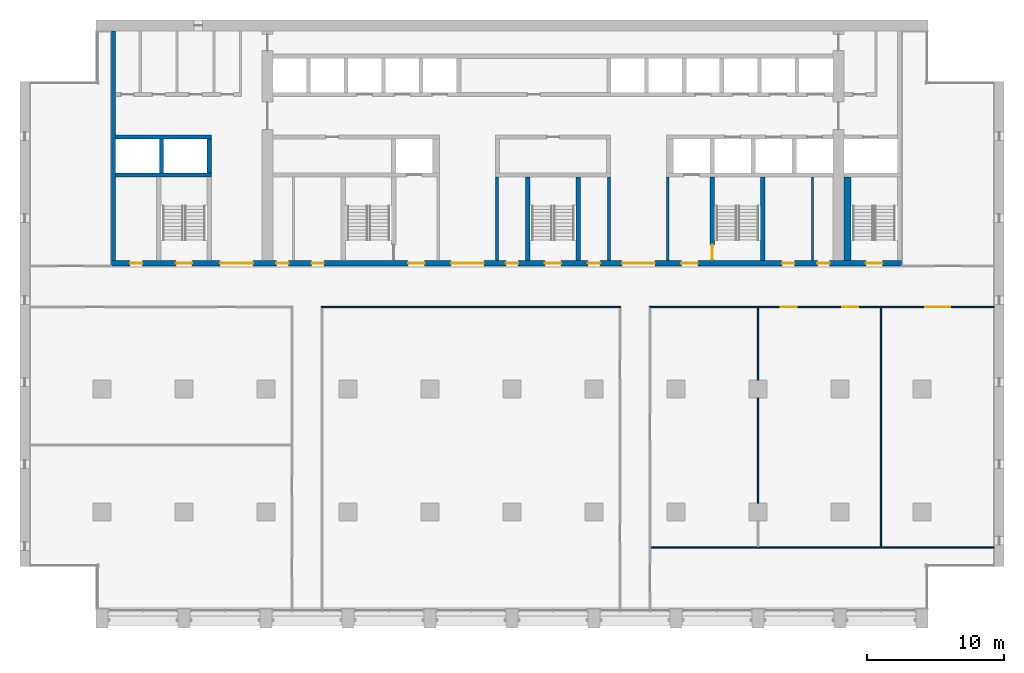
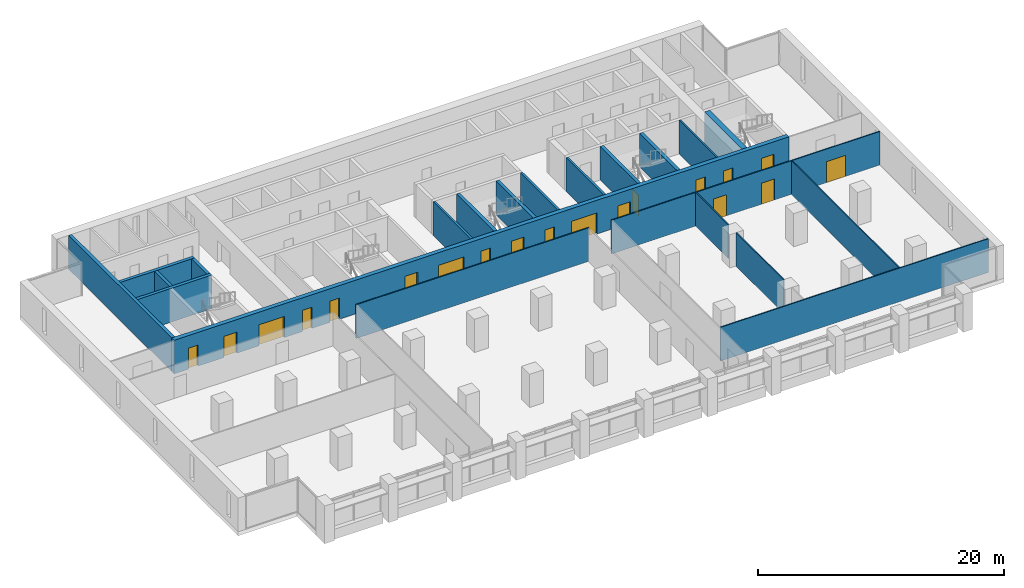
# One storey, part 9 of 15: 21 walls, 19 doors, 19 openings.
"""IFC4 building model written with IfcOpenShell, lengths in metres."""

from ifc_helpers import new_model, si_unit, direction, frame, frame_2d, origin, place, context, subcontext, project, spatial, rectangle, extrude, material, layer, layer_set, type_object, element, fill, save


model = new_model("IFC4")

# Units and contexts
model_context = context("Model", 3, precision=1e-05, world=origin(), true_north=direction((0.0, 1.0)))
body_context = subcontext(model_context, "Body", "Model", "MODEL_VIEW")
ifc_project = project(units=[si_unit("LENGTHUNIT", "METRE"), si_unit("AREAUNIT", "SQUARE_METRE"), si_unit("VOLUMEUNIT", "CUBIC_METRE"), si_unit("PLANEANGLEUNIT", "RADIAN"), si_unit("MASSUNIT", "GRAM", prefix="KILO")], contexts=[model_context])

# Site, building, storey
site_placement = place(None, origin())
site = spatial("IfcSite", under=ifc_project, at=site_placement, CompositionType="ELEMENT")
building_placement = place(site_placement, origin())
building = spatial("IfcBuilding", under=site, at=building_placement, Name="Calvaro Tower", CompositionType="ELEMENT")
storey_placement = place(building_placement, frame((0.0, 0.0, 128.75)))
storey = spatial("IfcBuildingStorey", under=building, at=storey_placement, Name="L32", CompositionType="ELEMENT", Elevation=128.75)

# Walls
ifc_material_1 = material(Name="Blockwork partition", Category="masonry")
ifc_layer_1 = layer(ifc_material_1, 0.14990234375)
ifc_layer_set_1 = layer_set([ifc_layer_1], Name="Blockwork partition")
wall_type_1 = type_object("IfcWallType", Name="Core partition 150 EI 60", PredefinedType="PARTITIONING", material=ifc_layer_set_1)
wall_1_placement = place(storey_placement, frame((58.0, 28.39990234375, 0.0), z_axis=(0.0, 0.0, 1.0), x_axis=(0.0, 1.0, 0.0)))
element("IfcWall", 1, at=wall_1_placement, inside=storey, type_object=wall_type_1, Name="Core partition", PredefinedType="PARTITIONING", context=body_context, shape_type="SweptSolid", body=[
    extrude(rectangle(XDim=6.10009765625, YDim=0.14990234375, at=frame_2d((3.050048828125, 0.0))), origin(), (0.0, 0.0, 1.0), 3.35009765625),
])
ifc_material_2 = material(Name="Blockwork partition", Category="masonry")
ifc_layer_2 = layer(ifc_material_2, 0.199951171875)
ifc_layer_set_2 = layer_set([ifc_layer_2], Name="Blockwork partition")
wall_type_2 = type_object("IfcWallType", Name="Core partition 200 REI 120", PredefinedType="PARTITIONING", material=ifc_layer_set_2)
for number, where, z_axis, x_axis, name in (
    (2, (34.89990234375, 28.39990234375, 0.0), (0.0, 0.0, 1.0), (0.0, 1.0, 0.0), "Core partition"),
    (3, (43.10009765625, 28.39990234375, 0.0), (0.0, 0.0, 1.0), (0.0, 1.0, 0.0), "Core partition"),
    (4, (47.39990234375, 28.39990234375, 0.0), (0.0, 0.0, 1.0), (0.0, 1.0, 0.0), "Core partition"),
):
    element("IfcWall", number, at=place(storey_placement, frame(where, z_axis=z_axis, x_axis=x_axis)), inside=storey, type_object=wall_type_2, Name=name, PredefinedType="PARTITIONING", context=body_context, shape_type="SweptSolid", body=[
        extrude(rectangle(XDim=6.10009765625, YDim=0.199951171875, at=frame_2d((3.050048828125, 0.0))), origin(), (0.0, 0.0, 1.0), 3.35009765625),
    ])
ifc_material_3 = material(Name="Concrete C60/75", Category="concrete")
ifc_layer_3 = layer(ifc_material_3, 0.300048828125)
ifc_layer_set_3 = layer_set([ifc_layer_3], Name="Concrete C60/75")
wall_type_3 = type_object("IfcWallType", Name="Core wall C60/75 300", PredefinedType="SHEAR", material=ifc_layer_set_3)
wall_2_placement = place(storey_placement, frame((6.85009765625, 28.39990234375, 0.0), z_axis=(0.0, 0.0, 1.0), x_axis=(0.0, 1.0, 0.0)))
element("IfcWall", 5, at=wall_2_placement, inside=storey, type_object=wall_type_3, Name="Core wall, boundary", PredefinedType="SHEAR", context=body_context, shape_type="SweptSolid", body=[
    extrude(rectangle(XDim=16.800048828125, YDim=0.300048828125, at=frame_2d((8.39990234375, 0.0))), origin(), (0.0, 0.0, 1.0), 3.35009765625),
])
for number, where, z_axis, x_axis, name in (
    (6, (37.14990234375, 28.39990234375, 0.0), (0.0, 0.0, 1.0), (0.0, 1.0, 0.0), "Core wall, stair enclosure"),
    (7, (40.85009765625, 28.39990234375, 0.0), (0.0, 0.0, 1.0), (0.0, 1.0, 0.0), "Core wall, stair enclosure"),
):
    element("IfcWall", number, at=place(storey_placement, frame(where, z_axis=z_axis, x_axis=x_axis)), inside=storey, type_object=wall_type_3, Name=name, PredefinedType="SHEAR", context=body_context, shape_type="SweptSolid", body=[
        extrude(rectangle(XDim=6.10009765625, YDim=0.300048828125, at=frame_2d((3.050048828125, 0.0))), origin(), (0.0, 0.0, 1.0), 3.35009765625),
    ])

# Wall, opening, door
wall_3_placement = place(storey_placement, frame((50.64990234375, 34.5, 0.0), z_axis=(0.0, 0.0, 1.0), x_axis=(0.0, -1.0, 0.0)))
wall_3 = element("IfcWall", 8, at=wall_3_placement, inside=storey, type_object=wall_type_3, Name="Core wall, stair enclosure", PredefinedType="SHEAR", context=body_context, shape_type="SweptSolid", body=[
    extrude(rectangle(XDim=6.10009765625, YDim=0.300048828125, at=frame_2d((3.050048828125, 0.0))), origin(), (0.0, 0.0, 1.0), 3.35009765625),
])
opening_1_placement = place(wall_3_placement, frame((4.949951171875, 0.0, 0.0)))
opening_1 = element("IfcOpeningElement", 9, at=opening_1_placement, cuts=wall_3, Name="Opening FD11D", PredefinedType="OPENING", context=body_context, shape_type="SweptSolid", body=[
    extrude(rectangle(XDim=1.10009765625, YDim=2.10009765625, at=frame_2d((0.550048828125, 1.050048828125))), frame((0.0, 0.159912109375, 0.0), z_axis=(0.0, -1.0, 0.0), x_axis=(1.0, 0.0, 0.0)), (0.0, 0.0, 1.0), 0.320068359375),
])
ifc_material_4 = material(Name="Steel door set", Category="steel")
door_type_1 = type_object("IfcDoorType", Name="Fire door 1100 FD30S", OperationType="SINGLE_SWING_LEFT", PredefinedType="DOOR", material=ifc_material_4)
door_1_placement = place(opening_1_placement, origin())
door_1 = element("IfcDoor", 10, at=door_1_placement, inside=storey, type_object=door_type_1, Name="Fire door", OperationType="SINGLE_SWING_RIGHT", OverallHeight=2.10009765625, OverallWidth=1.10009765625, PredefinedType="DOOR", context=body_context, shape_type="SweptSolid", body=[
    extrude(rectangle(XDim=1.10009765625, YDim=2.10009765625, at=frame_2d((0.550048828125, 1.050048828125))), frame((0.0, 0.02490234375, 0.0), z_axis=(0.0, -1.0, 0.0), x_axis=(1.0, 0.0, 0.0)), (0.0, 0.0, 1.0), 0.050048828125),
])
fill(opening_1, door_1)

# Walls
wall_4_placement = place(storey_placement, frame((54.35009765625, 28.39990234375, 0.0), z_axis=(0.0, 0.0, 1.0), x_axis=(0.0, 1.0, 0.0)))
element("IfcWall", 11, at=wall_4_placement, inside=storey, type_object=wall_type_3, Name="Core wall, stair enclosure", PredefinedType="SHEAR", context=body_context, shape_type="SweptSolid", body=[
    extrude(rectangle(XDim=6.10009765625, YDim=0.300048828125, at=frame_2d((3.050048828125, 0.0))), origin(), (0.0, 0.0, 1.0), 3.35009765625),
])
for number, where, z_axis, x_axis, name in (
    (12, (7.0, 34.64990234375, 0.0), (0.0, 0.0, 1.0), (1.0, 0.0, 0.0), "Core wall, lift shaft"),
    (13, (7.0, 37.449951171875, 0.0), (0.0, 0.0, 1.0), (1.0, 0.0, 0.0), "Core wall, lift shaft"),
):
    element("IfcWall", number, at=place(storey_placement, frame(where, z_axis=z_axis, x_axis=x_axis)), inside=storey, type_object=wall_type_3, Name=name, PredefinedType="SHEAR", context=body_context, shape_type="SweptSolid", body=[
        extrude(rectangle(XDim=7.0, YDim=0.300048828125, at=frame_2d((3.5, 0.0))), origin(), (0.0, 0.0, 1.0), 3.35009765625),
    ])
for number, where, z_axis, x_axis, name in (
    (14, (13.85009765625, 34.800048828125, 0.0), (0.0, 0.0, 1.0), (0.0, 1.0, 0.0), "Core wall, lift shaft"),
    (15, (10.35009765625, 34.800048828125, 0.0), (0.0, 0.0, 1.0), (0.0, 1.0, 0.0), "Core wall, lift shaft"),
):
    element("IfcWall", number, at=place(storey_placement, frame(where, z_axis=z_axis, x_axis=x_axis)), inside=storey, type_object=wall_type_3, Name=name, PredefinedType="SHEAR", context=body_context, shape_type="SweptSolid", body=[
        extrude(rectangle(XDim=2.5, YDim=0.300048828125, at=frame_2d((1.25, 0.0))), origin(), (0.0, 0.0, 1.0), 3.35009765625),
    ])

# Wall, openings, doors
ifc_material_5 = material(Name="Concrete C60/75", Category="concrete")
ifc_layer_4 = layer(ifc_material_5, 0.39990234375)
ifc_layer_set_4 = layer_set([ifc_layer_4], Name="Concrete C60/75")
wall_type_4 = type_object("IfcWallType", Name="Core wall C60/75 400", PredefinedType="SHEAR", material=ifc_layer_set_4)
wall_5_placement = place(storey_placement, frame((6.699951171875, 28.199951171875, 0.0), z_axis=(0.0, 0.0, 1.0), x_axis=(1.0, 0.0, 0.0)))
wall_5 = element("IfcWall", 16, at=wall_5_placement, inside=storey, type_object=wall_type_4, Name="Core wall, front", PredefinedType="SHEAR", context=body_context, shape_type="SweptSolid", body=[
    extrude(rectangle(XDim=57.800048828125, YDim=0.39990234375, at=frame_2d((28.89990234375, 0.0))), origin(), (0.0, 0.0, 1.0), 3.35009765625),
])
opening_2_placement = place(wall_5_placement, frame((12.0625, 0.0, 0.0)))
opening_2 = element("IfcOpeningElement", 17, at=opening_2_placement, cuts=wall_5, Name="Opening RD9C", PredefinedType="OPENING", context=body_context, shape_type="SweptSolid", body=[
    extrude(rectangle(XDim=0.89990234375, YDim=2.10009765625, at=frame_2d((0.449951171875, 1.050048828125))), frame((0.0, 0.2099609375, 0.0), z_axis=(0.0, -1.0, 0.0), x_axis=(1.0, 0.0, 0.0)), (0.0, 0.0, 1.0), 0.419921875),
])
opening_3_placement = place(wall_5_placement, frame((14.637451171875, 0.0, 0.0)))
opening_3 = element("IfcOpeningElement", 18, at=opening_3_placement, cuts=wall_5, Name="Opening RD9E", PredefinedType="OPENING", context=body_context, shape_type="SweptSolid", body=[
    extrude(rectangle(XDim=0.89990234375, YDim=2.10009765625, at=frame_2d((0.449951171875, 1.050048828125))), frame((0.0, 0.2099609375, 0.0), z_axis=(0.0, -1.0, 0.0), x_axis=(1.0, 0.0, 0.0)), (0.0, 0.0, 1.0), 0.419921875),
])
opening_4_placement = place(wall_5_placement, frame((49.0625, 0.0, 0.0)))
opening_4 = element("IfcOpeningElement", 19, at=opening_4_placement, cuts=wall_5, Name="Opening RD9E", PredefinedType="OPENING", context=body_context, shape_type="SweptSolid", body=[
    extrude(rectangle(XDim=0.89990234375, YDim=2.10009765625, at=frame_2d((0.449951171875, 1.050048828125))), frame((0.0, 0.2099609375, 0.0), z_axis=(0.0, -1.0, 0.0), x_axis=(1.0, 0.0, 0.0)), (0.0, 0.0, 1.0), 0.419921875),
])
opening_5_placement = place(wall_5_placement, frame((51.637451171875, 0.0, 0.0)))
opening_5 = element("IfcOpeningElement", 20, at=opening_5_placement, cuts=wall_5, Name="Opening RD9C", PredefinedType="OPENING", context=body_context, shape_type="SweptSolid", body=[
    extrude(rectangle(XDim=0.89990234375, YDim=2.10009765625, at=frame_2d((0.449951171875, 1.050048828125))), frame((0.0, 0.2099609375, 0.0), z_axis=(0.0, -1.0, 0.0), x_axis=(1.0, 0.0, 0.0)), (0.0, 0.0, 1.0), 0.419921875),
])
opening_6_placement = place(wall_5_placement, frame((1.35009765625, 0.0, 0.0)))
opening_6 = element("IfcOpeningElement", 21, at=opening_6_placement, cuts=wall_5, Name="Opening RD9E", PredefinedType="OPENING", context=body_context, shape_type="SweptSolid", body=[
    extrude(rectangle(XDim=0.89990234375, YDim=2.10009765625, at=frame_2d((0.449951171875, 1.050048828125))), frame((0.0, 0.2099609375, 0.0), z_axis=(0.0, -1.0, 0.0), x_axis=(1.0, 0.0, 0.0)), (0.0, 0.0, 1.0), 0.419921875),
])
opening_7_placement = place(wall_5_placement, frame((4.699951171875, 0.0, 0.0)))
opening_7 = element("IfcOpeningElement", 22, at=opening_7_placement, cuts=wall_5, Name="Opening SD12D", PredefinedType="OPENING", context=body_context, shape_type="SweptSolid", body=[
    extrude(rectangle(XDim=1.199951171875, YDim=2.10009765625, at=frame_2d((0.60009765625, 1.050048828125))), frame((0.0, 0.2099609375, 0.0), z_axis=(0.0, -1.0, 0.0), x_axis=(1.0, 0.0, 0.0)), (0.0, 0.0, 1.0), 0.419921875),
])
opening_8_placement = place(wall_5_placement, frame((31.699951171875, 0.0, 0.0)))
opening_8 = element("IfcOpeningElement", 23, at=opening_8_placement, cuts=wall_5, Name="Opening SD12D", PredefinedType="OPENING", context=body_context, shape_type="SweptSolid", body=[
    extrude(rectangle(XDim=1.199951171875, YDim=2.10009765625, at=frame_2d((0.60009765625, 1.050048828125))), frame((0.0, 0.2099609375, 0.0), z_axis=(0.0, -1.0, 0.0), x_axis=(1.0, 0.0, 0.0)), (0.0, 0.0, 1.0), 0.419921875),
])
opening_9_placement = place(wall_5_placement, frame((55.199951171875, 0.0, 0.0)))
opening_9 = element("IfcOpeningElement", 24, at=opening_9_placement, cuts=wall_5, Name="Opening SD12D", PredefinedType="OPENING", context=body_context, shape_type="SweptSolid", body=[
    extrude(rectangle(XDim=1.199951171875, YDim=2.10009765625, at=frame_2d((0.60009765625, 1.050048828125))), frame((0.0, 0.2099609375, 0.0), z_axis=(0.0, -1.0, 0.0), x_axis=(1.0, 0.0, 0.0)), (0.0, 0.0, 1.0), 0.419921875),
])
opening_10_placement = place(wall_5_placement, frame((21.699951171875, 0.0, 0.0)))
opening_10 = element("IfcOpeningElement", 25, at=opening_10_placement, cuts=wall_5, Name="Opening FD12F", PredefinedType="OPENING", context=body_context, shape_type="SweptSolid", body=[
    extrude(rectangle(XDim=1.199951171875, YDim=2.10009765625, at=frame_2d((0.60009765625, 1.050048828125))), frame((0.0, 0.2099609375, 0.0), z_axis=(0.0, -1.0, 0.0), x_axis=(1.0, 0.0, 0.0)), (0.0, 0.0, 1.0), 0.419921875),
])
opening_11_placement = place(wall_5_placement, frame((41.699951171875, 0.0, 0.0)))
opening_11 = element("IfcOpeningElement", 26, at=opening_11_placement, cuts=wall_5, Name="Opening FD12F", PredefinedType="OPENING", context=body_context, shape_type="SweptSolid", body=[
    extrude(rectangle(XDim=1.199951171875, YDim=2.10009765625, at=frame_2d((0.60009765625, 1.050048828125))), frame((0.0, 0.2099609375, 0.0), z_axis=(0.0, -1.0, 0.0), x_axis=(1.0, 0.0, 0.0)), (0.0, 0.0, 1.0), 0.419921875),
])
opening_12_placement = place(wall_5_placement, frame((24.85009765625, 0.0, 0.0)))
opening_12 = element("IfcOpeningElement", 27, at=opening_12_placement, cuts=wall_5, Name="Opening DD24D", PredefinedType="OPENING", context=body_context, shape_type="SweptSolid", body=[
    extrude(rectangle(XDim=2.39990234375, YDim=2.10009765625, at=frame_2d((1.199951171875, 1.050048828125))), frame((0.0, 0.2099609375, 0.0), z_axis=(0.0, -1.0, 0.0), x_axis=(1.0, 0.0, 0.0)), (0.0, 0.0, 1.0), 0.419921875),
])
opening_13_placement = place(wall_5_placement, frame((37.35009765625, 0.0, 0.0)))
opening_13 = element("IfcOpeningElement", 28, at=opening_13_placement, cuts=wall_5, Name="Opening DD24D", PredefinedType="OPENING", context=body_context, shape_type="SweptSolid", body=[
    extrude(rectangle(XDim=2.39990234375, YDim=2.10009765625, at=frame_2d((1.199951171875, 1.050048828125))), frame((0.0, 0.2099609375, 0.0), z_axis=(0.0, -1.0, 0.0), x_axis=(1.0, 0.0, 0.0)), (0.0, 0.0, 1.0), 0.419921875),
])
opening_14_placement = place(wall_5_placement, frame((7.949951171875, 0.0, 0.0)))
opening_14 = element("IfcOpeningElement", 29, at=opening_14_placement, cuts=wall_5, Name="Opening DD24D", PredefinedType="OPENING", context=body_context, shape_type="SweptSolid", body=[
    extrude(rectangle(XDim=2.39990234375, YDim=2.10009765625, at=frame_2d((1.199951171875, 1.050048828125))), frame((0.0, 0.2099609375, 0.0), z_axis=(0.0, -1.0, 0.0), x_axis=(1.0, 0.0, 0.0)), (0.0, 0.0, 1.0), 0.419921875),
])
opening_15_placement = place(wall_5_placement, frame((28.85009765625, 0.0, 0.0)))
opening_15 = element("IfcOpeningElement", 30, at=opening_15_placement, cuts=wall_5, Name="Opening RD9E", PredefinedType="OPENING", context=body_context, shape_type="SweptSolid", body=[
    extrude(rectangle(XDim=0.89990234375, YDim=2.10009765625, at=frame_2d((0.449951171875, 1.050048828125))), frame((0.0, 0.2099609375, 0.0), z_axis=(0.0, -1.0, 0.0), x_axis=(1.0, 0.0, 0.0)), (0.0, 0.0, 1.0), 0.419921875),
])
opening_16_placement = place(wall_5_placement, frame((34.85009765625, 0.0, 0.0)))
opening_16 = element("IfcOpeningElement", 31, at=opening_16_placement, cuts=wall_5, Name="Opening RD9E", PredefinedType="OPENING", context=body_context, shape_type="SweptSolid", body=[
    extrude(rectangle(XDim=0.89990234375, YDim=2.10009765625, at=frame_2d((0.449951171875, 1.050048828125))), frame((0.0, 0.2099609375, 0.0), z_axis=(0.0, -1.0, 0.0), x_axis=(1.0, 0.0, 0.0)), (0.0, 0.0, 1.0), 0.419921875),
])
ifc_material_6 = material(Name="Steel door set", Category="steel")
door_type_2 = type_object("IfcDoorType", Name="Fire door 1200 FD60S", OperationType="SINGLE_SWING_LEFT", PredefinedType="DOOR", material=ifc_material_6)
door_2_placement = place(opening_10_placement, origin())
door_2 = element("IfcDoor", 32, at=door_2_placement, inside=storey, type_object=door_type_2, Name="Fire door", OperationType="SINGLE_SWING_LEFT", OverallHeight=2.10009765625, OverallWidth=1.199951171875, PredefinedType="DOOR", context=body_context, shape_type="SweptSolid", body=[
    extrude(rectangle(XDim=1.199951171875, YDim=2.10009765625, at=frame_2d((0.60009765625, 1.050048828125))), frame((0.0, 0.02490234375, 0.0), z_axis=(0.0, -1.0, 0.0), x_axis=(1.0, 0.0, 0.0)), (0.0, 0.0, 1.0), 0.050048828125),
])
fill(opening_10, door_2)
door_3_placement = place(opening_11_placement, origin())
door_3 = element("IfcDoor", 33, at=door_3_placement, inside=storey, type_object=door_type_2, Name="Fire door", OperationType="SINGLE_SWING_LEFT", OverallHeight=2.10009765625, OverallWidth=1.199951171875, PredefinedType="DOOR", context=body_context, shape_type="SweptSolid", body=[
    extrude(rectangle(XDim=1.199951171875, YDim=2.10009765625, at=frame_2d((0.60009765625, 1.050048828125))), frame((0.0, 0.02490234375, 0.0), z_axis=(0.0, -1.0, 0.0), x_axis=(1.0, 0.0, 0.0)), (0.0, 0.0, 1.0), 0.050048828125),
])
fill(opening_11, door_3)
ifc_material_7 = material(Name="Steel door set", Category="steel")
door_type_3 = type_object("IfcDoorType", Name="Lobby double door 2400 FD30S", OperationType="DOUBLE_DOOR_SINGLE_SWING", PredefinedType="DOOR", material=ifc_material_7)
door_4_placement = place(opening_12_placement, origin())
door_4 = element("IfcDoor", 34, at=door_4_placement, inside=storey, type_object=door_type_3, Name="Lobby double door", OperationType="DOUBLE_DOOR_SINGLE_SWING", OverallHeight=2.10009765625, OverallWidth=2.39990234375, PredefinedType="DOOR", context=body_context, shape_type="SweptSolid", body=[
    extrude(rectangle(XDim=2.39990234375, YDim=2.10009765625, at=frame_2d((1.199951171875, 1.050048828125))), frame((0.0, 0.02490234375, 0.0), z_axis=(0.0, -1.0, 0.0), x_axis=(1.0, 0.0, 0.0)), (0.0, 0.0, 1.0), 0.050048828125),
])
fill(opening_12, door_4)
door_5_placement = place(opening_13_placement, origin())
door_5 = element("IfcDoor", 35, at=door_5_placement, inside=storey, type_object=door_type_3, Name="Lobby double door", OperationType="DOUBLE_DOOR_SINGLE_SWING", OverallHeight=2.10009765625, OverallWidth=2.39990234375, PredefinedType="DOOR", context=body_context, shape_type="SweptSolid", body=[
    extrude(rectangle(XDim=2.39990234375, YDim=2.10009765625, at=frame_2d((1.199951171875, 1.050048828125))), frame((0.0, 0.02490234375, 0.0), z_axis=(0.0, -1.0, 0.0), x_axis=(1.0, 0.0, 0.0)), (0.0, 0.0, 1.0), 0.050048828125),
])
fill(opening_13, door_5)
door_6_placement = place(opening_14_placement, origin())
door_6 = element("IfcDoor", 36, at=door_6_placement, inside=storey, type_object=door_type_3, Name="Lobby double door", OperationType="DOUBLE_DOOR_SINGLE_SWING", OverallHeight=2.10009765625, OverallWidth=2.39990234375, PredefinedType="DOOR", context=body_context, shape_type="SweptSolid", body=[
    extrude(rectangle(XDim=2.39990234375, YDim=2.10009765625, at=frame_2d((1.199951171875, 1.050048828125))), frame((0.0, 0.02490234375, 0.0), z_axis=(0.0, -1.0, 0.0), x_axis=(1.0, 0.0, 0.0)), (0.0, 0.0, 1.0), 0.050048828125),
])
fill(opening_14, door_6)
ifc_material_8 = material(Name="Steel door set", Category="steel")
door_type_4 = type_object("IfcDoorType", Name="Room door 900 FD30", OperationType="SINGLE_SWING_LEFT", PredefinedType="DOOR", material=ifc_material_8)
door_7_placement = place(opening_2_placement, origin())
door_7 = element("IfcDoor", 37, at=door_7_placement, inside=storey, type_object=door_type_4, Name="Room door", OperationType="SINGLE_SWING_LEFT", OverallHeight=2.10009765625, OverallWidth=0.89990234375, PredefinedType="DOOR", context=body_context, shape_type="SweptSolid", body=[
    extrude(rectangle(XDim=0.89990234375, YDim=2.10009765625, at=frame_2d((0.449951171875, 1.050048828125))), frame((0.0, 0.02490234375, 0.0), z_axis=(0.0, -1.0, 0.0), x_axis=(1.0, 0.0, 0.0)), (0.0, 0.0, 1.0), 0.050048828125),
])
fill(opening_2, door_7)
door_8_placement = place(opening_5_placement, origin())
door_8 = element("IfcDoor", 38, at=door_8_placement, inside=storey, type_object=door_type_4, Name="Room door", OperationType="SINGLE_SWING_LEFT", OverallHeight=2.10009765625, OverallWidth=0.89990234375, PredefinedType="DOOR", context=body_context, shape_type="SweptSolid", body=[
    extrude(rectangle(XDim=0.89990234375, YDim=2.10009765625, at=frame_2d((0.449951171875, 1.050048828125))), frame((0.0, 0.02490234375, 0.0), z_axis=(0.0, -1.0, 0.0), x_axis=(1.0, 0.0, 0.0)), (0.0, 0.0, 1.0), 0.050048828125),
])
fill(opening_5, door_8)
ifc_material_9 = material(Name="Steel door set", Category="steel")
door_type_5 = type_object("IfcDoorType", Name="Room door 900 FD60", OperationType="SINGLE_SWING_LEFT", PredefinedType="DOOR", material=ifc_material_9)
door_9_placement = place(opening_3_placement, origin())
door_9 = element("IfcDoor", 39, at=door_9_placement, inside=storey, type_object=door_type_5, Name="Room door", OperationType="SINGLE_SWING_RIGHT", OverallHeight=2.10009765625, OverallWidth=0.89990234375, PredefinedType="DOOR", context=body_context, shape_type="SweptSolid", body=[
    extrude(rectangle(XDim=0.89990234375, YDim=2.10009765625, at=frame_2d((0.449951171875, 1.050048828125))), frame((0.0, 0.02490234375, 0.0), z_axis=(0.0, -1.0, 0.0), x_axis=(1.0, 0.0, 0.0)), (0.0, 0.0, 1.0), 0.050048828125),
])
fill(opening_3, door_9)
door_10_placement = place(opening_4_placement, origin())
door_10 = element("IfcDoor", 40, at=door_10_placement, inside=storey, type_object=door_type_5, Name="Room door", OperationType="SINGLE_SWING_LEFT", OverallHeight=2.10009765625, OverallWidth=0.89990234375, PredefinedType="DOOR", context=body_context, shape_type="SweptSolid", body=[
    extrude(rectangle(XDim=0.89990234375, YDim=2.10009765625, at=frame_2d((0.449951171875, 1.050048828125))), frame((0.0, 0.02490234375, 0.0), z_axis=(0.0, -1.0, 0.0), x_axis=(1.0, 0.0, 0.0)), (0.0, 0.0, 1.0), 0.050048828125),
])
fill(opening_4, door_10)
door_11_placement = place(opening_6_placement, origin())
door_11 = element("IfcDoor", 41, at=door_11_placement, inside=storey, type_object=door_type_5, Name="Room door", OperationType="SINGLE_SWING_LEFT", OverallHeight=2.10009765625, OverallWidth=0.89990234375, PredefinedType="DOOR", context=body_context, shape_type="SweptSolid", body=[
    extrude(rectangle(XDim=0.89990234375, YDim=2.10009765625, at=frame_2d((0.449951171875, 1.050048828125))), frame((0.0, 0.02490234375, 0.0), z_axis=(0.0, -1.0, 0.0), x_axis=(1.0, 0.0, 0.0)), (0.0, 0.0, 1.0), 0.050048828125),
])
fill(opening_6, door_11)
door_12_placement = place(opening_15_placement, origin())
door_12 = element("IfcDoor", 42, at=door_12_placement, inside=storey, type_object=door_type_5, Name="Room door", OperationType="SINGLE_SWING_LEFT", OverallHeight=2.10009765625, OverallWidth=0.89990234375, PredefinedType="DOOR", context=body_context, shape_type="SweptSolid", body=[
    extrude(rectangle(XDim=0.89990234375, YDim=2.10009765625, at=frame_2d((0.449951171875, 1.050048828125))), frame((0.0, 0.02490234375, 0.0), z_axis=(0.0, -1.0, 0.0), x_axis=(1.0, 0.0, 0.0)), (0.0, 0.0, 1.0), 0.050048828125),
])
fill(opening_15, door_12)
door_13_placement = place(opening_16_placement, origin())
door_13 = element("IfcDoor", 43, at=door_13_placement, inside=storey, type_object=door_type_5, Name="Room door", OperationType="SINGLE_SWING_LEFT", OverallHeight=2.10009765625, OverallWidth=0.89990234375, PredefinedType="DOOR", context=body_context, shape_type="SweptSolid", body=[
    extrude(rectangle(XDim=0.89990234375, YDim=2.10009765625, at=frame_2d((0.449951171875, 1.050048828125))), frame((0.0, 0.02490234375, 0.0), z_axis=(0.0, -1.0, 0.0), x_axis=(1.0, 0.0, 0.0)), (0.0, 0.0, 1.0), 0.050048828125),
])
fill(opening_16, door_13)
ifc_material_10 = material(Name="Steel door set", Category="steel")
door_type_6 = type_object("IfcDoorType", Name="Stair door 1200 FD30S", OperationType="SINGLE_SWING_LEFT", PredefinedType="DOOR", material=ifc_material_10)
door_14_placement = place(opening_7_placement, origin())
door_14 = element("IfcDoor", 44, at=door_14_placement, inside=storey, type_object=door_type_6, Name="Stair door", OperationType="SINGLE_SWING_LEFT", OverallHeight=2.10009765625, OverallWidth=1.199951171875, PredefinedType="DOOR", context=body_context, shape_type="SweptSolid", body=[
    extrude(rectangle(XDim=1.199951171875, YDim=2.10009765625, at=frame_2d((0.60009765625, 1.050048828125))), frame((0.0, 0.02490234375, 0.0), z_axis=(0.0, -1.0, 0.0), x_axis=(1.0, 0.0, 0.0)), (0.0, 0.0, 1.0), 0.050048828125),
])
fill(opening_7, door_14)
door_15_placement = place(opening_8_placement, origin())
door_15 = element("IfcDoor", 45, at=door_15_placement, inside=storey, type_object=door_type_6, Name="Stair door", OperationType="SINGLE_SWING_LEFT", OverallHeight=2.10009765625, OverallWidth=1.199951171875, PredefinedType="DOOR", context=body_context, shape_type="SweptSolid", body=[
    extrude(rectangle(XDim=1.199951171875, YDim=2.10009765625, at=frame_2d((0.60009765625, 1.050048828125))), frame((0.0, 0.02490234375, 0.0), z_axis=(0.0, -1.0, 0.0), x_axis=(1.0, 0.0, 0.0)), (0.0, 0.0, 1.0), 0.050048828125),
])
fill(opening_8, door_15)
door_16_placement = place(opening_9_placement, origin())
door_16 = element("IfcDoor", 46, at=door_16_placement, inside=storey, type_object=door_type_6, Name="Stair door", OperationType="SINGLE_SWING_LEFT", OverallHeight=2.10009765625, OverallWidth=1.199951171875, PredefinedType="DOOR", context=body_context, shape_type="SweptSolid", body=[
    extrude(rectangle(XDim=1.199951171875, YDim=2.10009765625, at=frame_2d((0.60009765625, 1.050048828125))), frame((0.0, 0.02490234375, 0.0), z_axis=(0.0, -1.0, 0.0), x_axis=(1.0, 0.0, 0.0)), (0.0, 0.0, 1.0), 0.050048828125),
])
fill(opening_9, door_16)

# Walls
ifc_material_11 = material(Name="Concrete C60/75", Category="concrete")
ifc_layer_5 = layer(ifc_material_11, 0.5)
ifc_layer_set_5 = layer_set([ifc_layer_5], Name="Concrete C60/75")
wall_type_5 = type_object("IfcWallType", Name="Core wall C60/75 500", PredefinedType="SHEAR", material=ifc_layer_set_5)
wall_6_placement = place(storey_placement, frame((60.550048828125, 28.39990234375, 0.0), z_axis=(0.0, 0.0, 1.0), x_axis=(0.0, 1.0, 0.0)))
element("IfcWall", 47, at=wall_6_placement, inside=storey, type_object=wall_type_5, Name="Core wall, stair enclosure", PredefinedType="SHEAR", context=body_context, shape_type="SweptSolid", body=[
    extrude(rectangle(XDim=6.10009765625, YDim=0.5, at=frame_2d((3.050048828125, 0.0))), origin(), (0.0, 0.0, 1.0), 3.35009765625),
])
ifc_material_12 = material(Name="Plasterboard on steel studs", Category="steel")
ifc_layer_6 = layer(ifc_material_12, 0.10009765625)
ifc_layer_set_6 = layer_set([ifc_layer_6], Name="Plasterboard on steel studs")
wall_type_6 = type_object("IfcWallType", Name="Partition 100", PredefinedType="PARTITIONING", material=ifc_layer_set_6)
wall_7_placement = place(storey_placement, frame((46.14990234375, 7.39990234375, 0.0), z_axis=(0.0, 0.0, 1.0), x_axis=(1.0, 0.0, 0.0)))
element("IfcWall", 48, at=wall_7_placement, inside=storey, type_object=wall_type_6, Name="Partition T20.W001", PredefinedType="PARTITIONING", context=body_context, shape_type="SweptSolid", body=[
    extrude(rectangle(XDim=25.150146484375, YDim=0.10009765625, at=frame_2d((12.5751953125, 0.0))), origin(), (0.0, 0.0, 1.0), 3.35009765625),
])
wall_8_placement = place(storey_placement, frame((22.050048828125, 25.0, 0.0), z_axis=(0.0, 0.0, 1.0), x_axis=(1.0, 0.0, 0.0)))
element("IfcWall", 49, at=wall_8_placement, inside=storey, type_object=wall_type_6, Name="Partition T20.W004", PredefinedType="PARTITIONING", context=body_context, shape_type="SweptSolid", body=[
    extrude(rectangle(XDim=21.89990234375, YDim=0.10009765625, at=frame_2d((10.949951171875, 0.0))), origin(), (0.0, 0.0, 1.0), 3.35009765625),
])

# Wall, openings, doors
wall_9_placement = place(storey_placement, frame((46.050048828125, 25.0, 0.0), z_axis=(0.0, 0.0, 1.0), x_axis=(1.0, 0.0, 0.0)))
wall_9 = element("IfcWall", 50, at=wall_9_placement, inside=storey, type_object=wall_type_6, Name="Partition T20.W005", PredefinedType="PARTITIONING", context=body_context, shape_type="SweptSolid", body=[
    extrude(rectangle(XDim=25.25, YDim=0.10009765625, at=frame_2d((12.625, 0.0))), origin(), (0.0, 0.0, 1.0), 3.35009765625),
])
opening_17_placement = place(wall_9_placement, frame((9.60009765625, 0.0, 0.0)))
opening_17 = element("IfcOpeningElement", 51, at=opening_17_placement, cuts=wall_9, Name="Opening T20.007", PredefinedType="OPENING", context=body_context, shape_type="SweptSolid", body=[
    extrude(rectangle(XDim=1.199951171875, YDim=2.10009765625, at=frame_2d((0.60009765625, 1.050048828125))), frame((0.0, 0.06005859375, 0.0), z_axis=(0.0, -1.0, 0.0), x_axis=(1.0, 0.0, 0.0)), (0.0, 0.0, 1.0), 0.1201171875),
])
opening_18_placement = place(wall_9_placement, frame((14.10009765625, 0.0, 0.0)))
opening_18 = element("IfcOpeningElement", 52, at=opening_18_placement, cuts=wall_9, Name="Opening T20.008", PredefinedType="OPENING", context=body_context, shape_type="SweptSolid", body=[
    extrude(rectangle(XDim=1.199951171875, YDim=2.10009765625, at=frame_2d((0.60009765625, 1.050048828125))), frame((0.0, 0.06005859375, 0.0), z_axis=(0.0, -1.0, 0.0), x_axis=(1.0, 0.0, 0.0)), (0.0, 0.0, 1.0), 0.1201171875),
])
opening_19_placement = place(wall_9_placement, frame((20.199951171875, 0.0, 0.0)))
opening_19 = element("IfcOpeningElement", 53, at=opening_19_placement, cuts=wall_9, Name="Opening T20.009", PredefinedType="OPENING", context=body_context, shape_type="SweptSolid", body=[
    extrude(rectangle(XDim=1.800048828125, YDim=2.10009765625, at=frame_2d((0.89990234375, 1.050048828125))), frame((0.0, 0.06005859375, 0.0), z_axis=(0.0, -1.0, 0.0), x_axis=(1.0, 0.0, 0.0)), (0.0, 0.0, 1.0), 0.1201171875),
])
ifc_material_13 = material(Name="Timber", Category="wood")
door_type_7 = type_object("IfcDoorType", Name="Internal double door 1800 x 2100", OperationType="DOUBLE_DOOR_SINGLE_SWING", PredefinedType="DOOR", material=ifc_material_13)
door_17_placement = place(opening_19_placement, origin())
door_17 = element("IfcDoor", 54, at=door_17_placement, inside=storey, type_object=door_type_7, Name="Door T20.009", OperationType="DOUBLE_DOOR_SINGLE_SWING", OverallHeight=2.10009765625, OverallWidth=1.800048828125, PredefinedType="DOOR", context=body_context, shape_type="SweptSolid", body=[
    extrude(rectangle(XDim=1.800048828125, YDim=2.10009765625, at=frame_2d((0.89990234375, 1.050048828125))), frame((0.0, 0.02490234375, 0.0), z_axis=(0.0, -1.0, 0.0), x_axis=(1.0, 0.0, 0.0)), (0.0, 0.0, 1.0), 0.050048828125),
])
fill(opening_19, door_17)
ifc_material_14 = material(Name="Timber", Category="wood")
door_type_8 = type_object("IfcDoorType", Name="Internal single door 1200 x 2100", OperationType="SINGLE_SWING_LEFT", PredefinedType="DOOR", material=ifc_material_14)
door_18_placement = place(opening_17_placement, origin())
door_18 = element("IfcDoor", 55, at=door_18_placement, inside=storey, type_object=door_type_8, Name="Door T20.007", OperationType="SINGLE_SWING_LEFT", OverallHeight=2.10009765625, OverallWidth=1.199951171875, PredefinedType="DOOR", context=body_context, shape_type="SweptSolid", body=[
    extrude(rectangle(XDim=1.199951171875, YDim=2.10009765625, at=frame_2d((0.60009765625, 1.050048828125))), frame((0.0, 0.02490234375, 0.0), z_axis=(0.0, -1.0, 0.0), x_axis=(1.0, 0.0, 0.0)), (0.0, 0.0, 1.0), 0.050048828125),
])
fill(opening_17, door_18)
door_19_placement = place(opening_18_placement, origin())
door_19 = element("IfcDoor", 56, at=door_19_placement, inside=storey, type_object=door_type_8, Name="Door T20.008", OperationType="SINGLE_SWING_RIGHT", OverallHeight=2.10009765625, OverallWidth=1.199951171875, PredefinedType="DOOR", context=body_context, shape_type="SweptSolid", body=[
    extrude(rectangle(XDim=1.199951171875, YDim=2.10009765625, at=frame_2d((0.60009765625, 1.050048828125))), frame((0.0, 0.02490234375, 0.0), z_axis=(0.0, -1.0, 0.0), x_axis=(1.0, 0.0, 0.0)), (0.0, 0.0, 1.0), 0.050048828125),
])
fill(opening_18, door_19)

# Walls
wall_10_placement = place(storey_placement, frame((54.0, 10.64990234375, 0.0), z_axis=(0.0, 0.0, 1.0), x_axis=(0.0, 1.0, 0.0)))
element("IfcWall", 57, at=wall_10_placement, inside=storey, type_object=wall_type_6, Name="Partition T20.W013", PredefinedType="PARTITIONING", context=body_context, shape_type="SweptSolid", body=[
    extrude(rectangle(XDim=7.7001953125, YDim=0.10009765625, at=frame_2d((3.85009765625, 0.0))), origin(), (0.0, 0.0, 1.0), 3.35009765625),
])
wall_11_placement = place(storey_placement, frame((54.0, 19.64990234375, 0.0), z_axis=(0.0, 0.0, 1.0), x_axis=(0.0, 1.0, 0.0)))
element("IfcWall", 58, at=wall_11_placement, inside=storey, type_object=wall_type_6, Name="Partition T20.W014", PredefinedType="PARTITIONING", context=body_context, shape_type="SweptSolid", body=[
    extrude(rectangle(XDim=5.300048828125, YDim=0.10009765625, at=frame_2d((2.64990234375, 0.0))), origin(), (0.0, 0.0, 1.0), 3.35009765625),
])
wall_12_placement = place(storey_placement, frame((63.0, 7.449951171875, 0.0), z_axis=(0.0, 0.0, 1.0), x_axis=(0.0, 1.0, 0.0)))
element("IfcWall", 59, at=wall_12_placement, inside=storey, type_object=wall_type_6, Name="Partition T20.W015", PredefinedType="PARTITIONING", context=body_context, shape_type="SweptSolid", body=[
    extrude(rectangle(XDim=17.5, YDim=0.10009765625, at=frame_2d((8.75, 0.0))), origin(), (0.0, 0.0, 1.0), 3.35009765625),
])

save(model, "model.ifc")
